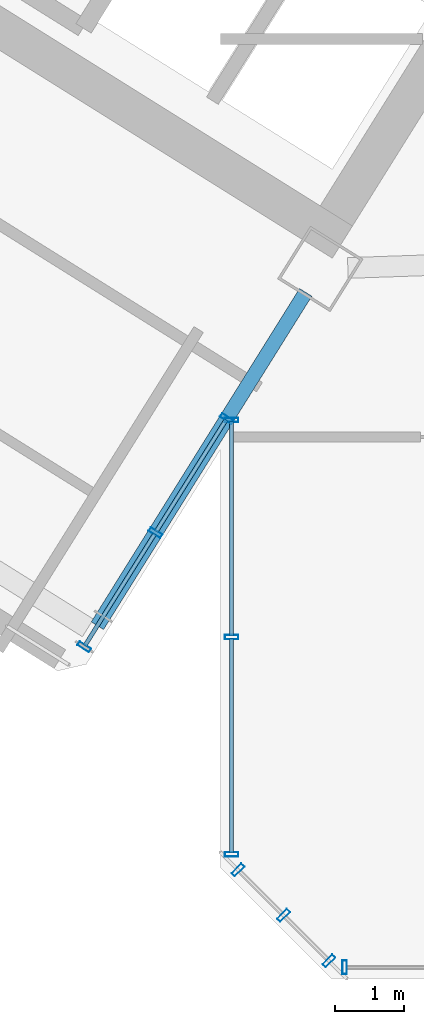
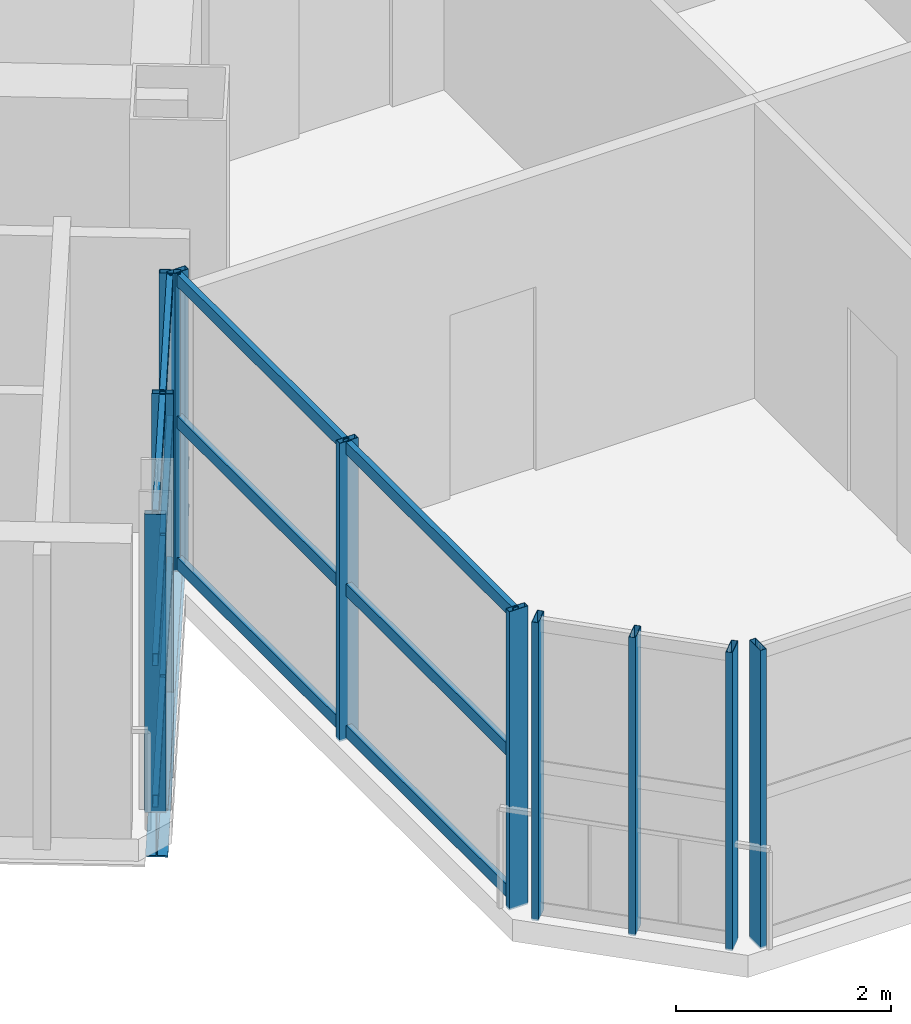
# One storey, part 6 of 25: 22 members, 1 beam, 4 elements without a shape of their own.
"""IFC4 building model written with IfcOpenShell, lengths in metres."""

from ifc_helpers import new_model, si_unit, direction, frame, origin, origin_2d, place, context, subcontext, project, spatial, hollow_rectangle, i_section, extrude, source, transform, mapped, material, material_profile, profile_set, type_object, element, aggregate, save


model = new_model("IFC4")

# Units and contexts
model_context = context("Model", 3, precision=1e-05, world=origin(), true_north=direction((0.0, 1.0)))
body_context = subcontext(model_context, "Body", "Model", "MODEL_VIEW")
ifc_project = project(units=[si_unit("LENGTHUNIT", "METRE"), si_unit("AREAUNIT", "SQUARE_METRE"), si_unit("VOLUMEUNIT", "CUBIC_METRE"), si_unit("PLANEANGLEUNIT", "RADIAN"), si_unit("MASSUNIT", "GRAM", prefix="KILO")], contexts=[model_context])

# Site, building, storey
site_placement = place(None, origin())
site = spatial("IfcSite", under=ifc_project, at=site_placement, CompositionType="ELEMENT")
building_placement = place(site_placement, origin())
building = spatial("IfcBuilding", under=site, at=building_placement, Name="Tlacorven Tower", CompositionType="ELEMENT")
storey_placement = place(building_placement, frame((0.0, 0.0, 155.10009765625)))
storey = spatial("IfcBuildingStorey", under=building, at=storey_placement, Name="L39", CompositionType="ELEMENT", Elevation=155.10009765625)

# Beam
ifc_material_1 = material(Name="Steel S355J2", Category="steel")
ifc_material_profile_1 = material_profile(ifc_material_1, i_section(OverallWidth=0.2099609375, OverallDepth=0.550048828125, WebThickness=0.010986328125, FlangeThickness=0.01708984375, at=origin_2d()), Name="IPE 550")
ifc_profile_set_1 = profile_set([ifc_material_profile_1], Name="Steel S355J2")
beam_type = type_object("IfcBeamType", Name="BM-TWR-550", PredefinedType="BEAM", material=ifc_profile_set_1)
shared_shape_1 = source(origin(), body_context, "Body", "SweptSolid", [
    extrude(i_section(OverallWidth=0.2099609375, OverallDepth=0.550048828125, WebThickness=0.010986328125, FlangeThickness=0.01708984375, at=origin_2d()), origin(), (0.0, 0.0, 1.0), 5.699951171875),
])
beam_placement = place(storey_placement, frame((32.834228515625, 11.74755859375, -0.525146484375), z_axis=(-0.529925785607, -0.848044021115, 0.0), x_axis=(0.848044021115, -0.529925785607, 0.0)))
element("IfcBeam", 1, at=beam_placement, inside=storey, type_object=beam_type, Name="L39 beam BM-L39-WT1-2", PredefinedType="BEAM", context=body_context, shape_type="MappedRepresentation", body=[
    mapped(shared_shape_1, transform((0.0, 0.0, 0.0), scale=1.0)),
])

# Curtain wall, member
ifc_material_2 = material(Name="Dark solar low-E double glazing in aluminium frame", Category="aluminium")
curtain_wall_type = type_object("IfcCurtainWallType", Name="CW-TWR-MID", PredefinedType="USERDEFINED", material=ifc_material_2)
curtain_wall_1_placement = place(storey_placement, origin())
curtain_wall_1 = element("IfcCurtainWall", 2, at=curtain_wall_1_placement, inside=storey, type_object=curtain_wall_type, Name="L39 CW-TWR-MID Curtain Wall 173", ObjectType="UNITISED CURTAIN WALL", PredefinedType="USERDEFINED")
ifc_material_3 = material(Name="Aluminium 6063-T6 anodised", Category="aluminium")
ifc_material_profile_2 = material_profile(ifc_material_3, hollow_rectangle(XDim=0.06494140625, YDim=0.199951171875, WallThickness=0.00439453125, at=origin_2d()), Name="ALU MULLION 65X200")
ifc_profile_set_2 = profile_set([ifc_material_profile_2], Name="Aluminium 6063-T6 anodised")
member_type_1 = type_object("IfcMemberType", Name="CWM-02", PredefinedType="MULLION", material=ifc_profile_set_2)
shared_shape_2 = source(origin(), body_context, "Body", "SweptSolid", [
    extrude(hollow_rectangle(XDim=0.06494140625, YDim=0.199951171875, WallThickness=0.00439453125, at=origin_2d()), origin(), (0.0, 0.0, 1.0), 3.3798828125),
])
member_1_placement = place(storey_placement, frame((33.398681640625, 1.9599609375, -0.02001953125), z_axis=(0.0, 0.0, 1.0), x_axis=(-1.0, 0.0, 0.0)))
member_1 = element("IfcMember", 3, at=member_1_placement, type_object=member_type_1, Name="CW-L39-173 Mullion 4", PredefinedType="MULLION", context=body_context, shape_type="MappedRepresentation", body=[
    mapped(shared_shape_2, transform((0.0, 0.0, 0.0), scale=1.0)),
])
aggregate(curtain_wall_1, [member_1])

# Curtain wall, members
curtain_wall_2_placement = place(storey_placement, origin())
curtain_wall_2 = element("IfcCurtainWall", 4, at=curtain_wall_2_placement, inside=storey, type_object=curtain_wall_type, Name="L39 CW-TWR-MID Curtain Wall 174", ObjectType="UNITISED CURTAIN WALL", PredefinedType="USERDEFINED")
member_2_placement = place(storey_placement, frame((33.172607421875, 2.0537109375, -0.02001953125), z_axis=(0.0, 0.0, 1.0), x_axis=(-0.707106781187, 0.707106781187, 0.0)))
member_2 = element("IfcMember", 5, at=member_2_placement, type_object=member_type_1, Name="CW-L39-174 Mullion 1", PredefinedType="MULLION", context=body_context, shape_type="MappedRepresentation", body=[
    mapped(shared_shape_2, transform((0.0, 0.0, 0.0), scale=1.0)),
])
member_3_placement = place(storey_placement, frame((32.51318359375, 2.713134765625, -0.02001953125), z_axis=(0.0, 0.0, 1.0), x_axis=(-0.707106781187, 0.707106781187, 0.0)))
member_3 = element("IfcMember", 6, at=member_3_placement, type_object=member_type_1, Name="CW-L39-174 Mullion 2", PredefinedType="MULLION", context=body_context, shape_type="MappedRepresentation", body=[
    mapped(shared_shape_2, transform((0.0, 0.0, 0.0), scale=1.0)),
])
member_4_placement = place(storey_placement, frame((31.853759765625, 3.37255859375, -0.02001953125), z_axis=(0.0, 0.0, 1.0), x_axis=(-0.707106781187, 0.707106781187, 0.0)))
member_4 = element("IfcMember", 7, at=member_4_placement, type_object=member_type_1, Name="CW-L39-174 Mullion 3", PredefinedType="MULLION", context=body_context, shape_type="MappedRepresentation", body=[
    mapped(shared_shape_2, transform((0.0, 0.0, 0.0), scale=1.0)),
])
aggregate(curtain_wall_2, [member_2, member_3, member_4])

curtain_wall_3_placement = place(storey_placement, origin())
curtain_wall_3 = element("IfcCurtainWall", 8, at=curtain_wall_3_placement, inside=storey, type_object=curtain_wall_type, Name="L39 CW-TWR-MID Curtain Wall 175", ObjectType="UNITISED CURTAIN WALL", PredefinedType="USERDEFINED")
member_5_placement = place(storey_placement, frame((31.760009765625, 3.598876953125, -0.02001953125), z_axis=(0.0, 0.0, 1.0), x_axis=(0.0, 1.0, 0.0)))
member_5 = element("IfcMember", 9, at=member_5_placement, type_object=member_type_1, Name="CW-L39-175 Mullion 1", PredefinedType="MULLION", context=body_context, shape_type="MappedRepresentation", body=[
    mapped(shared_shape_2, transform((0.0, 0.0, 0.0), scale=1.0)),
])
member_6_placement = place(storey_placement, frame((31.760009765625, 6.74755859375, -0.02001953125), z_axis=(0.0, 0.0, 1.0), x_axis=(0.0, 1.0, 0.0)))
member_6 = element("IfcMember", 10, at=member_6_placement, type_object=member_type_1, Name="CW-L39-175 Mullion 2", PredefinedType="MULLION", context=body_context, shape_type="MappedRepresentation", body=[
    mapped(shared_shape_2, transform((0.0, 0.0, 0.0), scale=1.0)),
])
member_7_placement = place(storey_placement, frame((31.760009765625, 9.896240234375, -0.02001953125), z_axis=(0.0, 0.0, 1.0), x_axis=(0.0, 1.0, 0.0)))
member_7 = element("IfcMember", 11, at=member_7_placement, type_object=member_type_1, Name="CW-L39-175 Mullion 3", PredefinedType="MULLION", context=body_context, shape_type="MappedRepresentation", body=[
    mapped(shared_shape_2, transform((0.0, 0.0, 0.0), scale=1.0)),
])

curtain_wall_4_placement = place(storey_placement, origin())
curtain_wall_4 = element("IfcCurtainWall", 12, at=curtain_wall_4_placement, inside=storey, type_object=curtain_wall_type, Name="L39 CW-TWR-MID Curtain Wall 176", ObjectType="UNITISED CURTAIN WALL", PredefinedType="USERDEFINED")
member_8_placement = place(storey_placement, frame((31.689697265625, 9.916259765625, -0.02001953125), z_axis=(0.0, 0.0, 1.0), x_axis=(-0.529918710919, -0.848048441905, 0.0)))
member_8 = element("IfcMember", 13, at=member_8_placement, type_object=member_type_1, Name="CW-L39-176 Mullion 1", PredefinedType="MULLION", context=body_context, shape_type="MappedRepresentation", body=[
    mapped(shared_shape_2, transform((0.0, 0.0, 0.0), scale=1.0)),
])
member_9_placement = place(storey_placement, frame((30.656005859375, 8.261962890625, -0.02001953125), z_axis=(0.0, 0.0, 1.0), x_axis=(-0.529918710919, -0.848048441905, 0.0)))
member_9 = element("IfcMember", 14, at=member_9_placement, type_object=member_type_1, Name="CW-L39-176 Mullion 2", PredefinedType="MULLION", context=body_context, shape_type="MappedRepresentation", body=[
    mapped(shared_shape_2, transform((0.0, 0.0, 0.0), scale=1.0)),
])
member_10_placement = place(storey_placement, frame((29.622314453125, 6.607421875, -0.02001953125), z_axis=(0.0, 0.0, 1.0), x_axis=(-0.529918710919, -0.848048441905, 0.0)))
member_10 = element("IfcMember", 15, at=member_10_placement, type_object=member_type_1, Name="CW-L39-176 Mullion 3", PredefinedType="MULLION", context=body_context, shape_type="MappedRepresentation", body=[
    mapped(shared_shape_2, transform((0.0, 0.0, 0.0), scale=1.0)),
])

# Member
ifc_material_profile_3 = material_profile(ifc_material_3, hollow_rectangle(XDim=0.06005859375, YDim=0.139892578125, WallThickness=0.00390625, at=origin_2d()), Name="ALU TRANSOM 60X140")
ifc_profile_set_3 = profile_set([ifc_material_profile_3], Name="Aluminium 6063-T6 anodised")
member_type_2 = type_object("IfcMemberType", Name="CWT-02", PredefinedType="USERDEFINED", material=ifc_profile_set_3)
shared_shape_3 = source(origin(), body_context, "Body", "SweptSolid", [
    extrude(hollow_rectangle(XDim=0.06005859375, YDim=0.139892578125, WallThickness=0.00390625, at=origin_2d()), origin(), (0.0, 0.0, 1.0), 3.107666015625),
])
member_11_placement = place(storey_placement, frame((31.760009765625, 3.619384765625, 0.06982421875), z_axis=(0.0, 1.0, 0.0), x_axis=(-1.0, 0.0, 0.0)))
member_11 = element("IfcMember", 16, at=member_11_placement, type_object=member_type_2, Name="CW-L39-175 Transom 1", ObjectType="TRANSOM", PredefinedType="USERDEFINED", context=body_context, shape_type="MappedRepresentation", body=[
    mapped(shared_shape_3, transform((0.0, 0.0, 0.0), scale=1.0)),
])

member_12_placement = place(storey_placement, frame((31.760009765625, 3.619384765625, 1.6748046875), z_axis=(0.0, 1.0, 0.0), x_axis=(-1.0, 0.0, 0.0)))
member_12 = element("IfcMember", 17, at=member_12_placement, type_object=member_type_2, Name="CW-L39-175 Transom 2", ObjectType="TRANSOM", PredefinedType="USERDEFINED", context=body_context, shape_type="MappedRepresentation", body=[
    mapped(shared_shape_3, transform((0.0, 0.0, 0.0), scale=1.0)),
])

member_13_placement = place(storey_placement, frame((31.760009765625, 3.619384765625, 3.27978515625), z_axis=(0.0, 1.0, 0.0), x_axis=(-1.0, 0.0, 0.0)))
member_13 = element("IfcMember", 18, at=member_13_placement, type_object=member_type_2, Name="CW-L39-175 Transom 3", ObjectType="TRANSOM", PredefinedType="USERDEFINED", context=body_context, shape_type="MappedRepresentation", body=[
    mapped(shared_shape_3, transform((0.0, 0.0, 0.0), scale=1.0)),
])

member_14_placement = place(storey_placement, frame((31.760009765625, 6.76806640625, 0.06982421875), z_axis=(0.0, 1.0, 0.0), x_axis=(-1.0, 0.0, 0.0)))
member_14 = element("IfcMember", 19, at=member_14_placement, type_object=member_type_2, Name="CW-L39-175 Transom 4", ObjectType="TRANSOM", PredefinedType="USERDEFINED", context=body_context, shape_type="MappedRepresentation", body=[
    mapped(shared_shape_3, transform((0.0, 0.0, 0.0), scale=1.0)),
])

member_15_placement = place(storey_placement, frame((31.760009765625, 6.76806640625, 1.6748046875), z_axis=(0.0, 1.0, 0.0), x_axis=(-1.0, 0.0, 0.0)))
member_15 = element("IfcMember", 20, at=member_15_placement, type_object=member_type_2, Name="CW-L39-175 Transom 5", ObjectType="TRANSOM", PredefinedType="USERDEFINED", context=body_context, shape_type="MappedRepresentation", body=[
    mapped(shared_shape_3, transform((0.0, 0.0, 0.0), scale=1.0)),
])

member_16_placement = place(storey_placement, frame((31.760009765625, 6.76806640625, 3.27978515625), z_axis=(0.0, 1.0, 0.0), x_axis=(-1.0, 0.0, 0.0)))
member_16 = element("IfcMember", 21, at=member_16_placement, type_object=member_type_2, Name="CW-L39-175 Transom 6", ObjectType="TRANSOM", PredefinedType="USERDEFINED", context=body_context, shape_type="MappedRepresentation", body=[
    mapped(shared_shape_3, transform((0.0, 0.0, 0.0), scale=1.0)),
])

aggregate(curtain_wall_3, [member_5, member_6, member_7, member_11, member_12, member_13, member_14, member_15, member_16])

shared_shape_4 = source(origin(), body_context, "Body", "SweptSolid", [
    extrude(hollow_rectangle(XDim=0.06005859375, YDim=0.139892578125, WallThickness=0.00390625, at=origin_2d()), origin(), (0.0, 0.0, 1.0), 1.909912109375),
])
member_17_placement = place(storey_placement, frame((31.678955078125, 9.89892578125, 0.06982421875), z_axis=(-0.529975959448, -0.848012666419, 0.0), x_axis=(0.848012666419, -0.529975959448, 0.0)))
member_17 = element("IfcMember", 22, at=member_17_placement, type_object=member_type_2, Name="CW-L39-176 Transom 1", ObjectType="TRANSOM", PredefinedType="USERDEFINED", context=body_context, shape_type="MappedRepresentation", body=[
    mapped(shared_shape_4, transform((0.0, 0.0, 0.0), scale=1.0)),
])

member_18_placement = place(storey_placement, frame((31.678955078125, 9.89892578125, 1.6748046875), z_axis=(-0.529975959448, -0.848012666419, 0.0), x_axis=(0.848012666419, -0.529975959448, 0.0)))
member_18 = element("IfcMember", 23, at=member_18_placement, type_object=member_type_2, Name="CW-L39-176 Transom 2", ObjectType="TRANSOM", PredefinedType="USERDEFINED", context=body_context, shape_type="MappedRepresentation", body=[
    mapped(shared_shape_4, transform((0.0, 0.0, 0.0), scale=1.0)),
])

member_19_placement = place(storey_placement, frame((31.678955078125, 9.89892578125, 3.27978515625), z_axis=(-0.529975959448, -0.848012666419, 0.0), x_axis=(0.848012666419, -0.529975959448, 0.0)))
member_19 = element("IfcMember", 24, at=member_19_placement, type_object=member_type_2, Name="CW-L39-176 Transom 3", ObjectType="TRANSOM", PredefinedType="USERDEFINED", context=body_context, shape_type="MappedRepresentation", body=[
    mapped(shared_shape_4, transform((0.0, 0.0, 0.0), scale=1.0)),
])

shared_shape_5 = source(origin(), body_context, "Body", "SweptSolid", [
    extrude(hollow_rectangle(XDim=0.06005859375, YDim=0.139892578125, WallThickness=0.00390625, at=origin_2d()), origin(), (0.0, 0.0, 1.0), 1.90966796875),
])
member_20_placement = place(storey_placement, frame((30.64501953125, 8.244384765625, 0.06982421875), z_axis=(-0.529884025548, -0.848070114713, 0.0), x_axis=(0.848070114713, -0.529884025548, 0.0)))
member_20 = element("IfcMember", 25, at=member_20_placement, type_object=member_type_2, Name="CW-L39-176 Transom 4", ObjectType="TRANSOM", PredefinedType="USERDEFINED", context=body_context, shape_type="MappedRepresentation", body=[
    mapped(shared_shape_5, transform((0.0, 0.0, 0.0), scale=1.0)),
])

member_21_placement = place(storey_placement, frame((30.64501953125, 8.244384765625, 1.6748046875), z_axis=(-0.529884025548, -0.848070114713, 0.0), x_axis=(0.848070114713, -0.529884025548, 0.0)))
member_21 = element("IfcMember", 26, at=member_21_placement, type_object=member_type_2, Name="CW-L39-176 Transom 5", ObjectType="TRANSOM", PredefinedType="USERDEFINED", context=body_context, shape_type="MappedRepresentation", body=[
    mapped(shared_shape_5, transform((0.0, 0.0, 0.0), scale=1.0)),
])

member_22_placement = place(storey_placement, frame((30.64501953125, 8.244384765625, 3.27978515625), z_axis=(-0.529884025548, -0.848070114713, 0.0), x_axis=(0.848070114713, -0.529884025548, 0.0)))
member_22 = element("IfcMember", 27, at=member_22_placement, type_object=member_type_2, Name="CW-L39-176 Transom 6", ObjectType="TRANSOM", PredefinedType="USERDEFINED", context=body_context, shape_type="MappedRepresentation", body=[
    mapped(shared_shape_5, transform((0.0, 0.0, 0.0), scale=1.0)),
])

aggregate(curtain_wall_4, [member_8, member_9, member_10, member_17, member_18, member_19, member_20, member_21, member_22])

save(model, "model.ifc")
